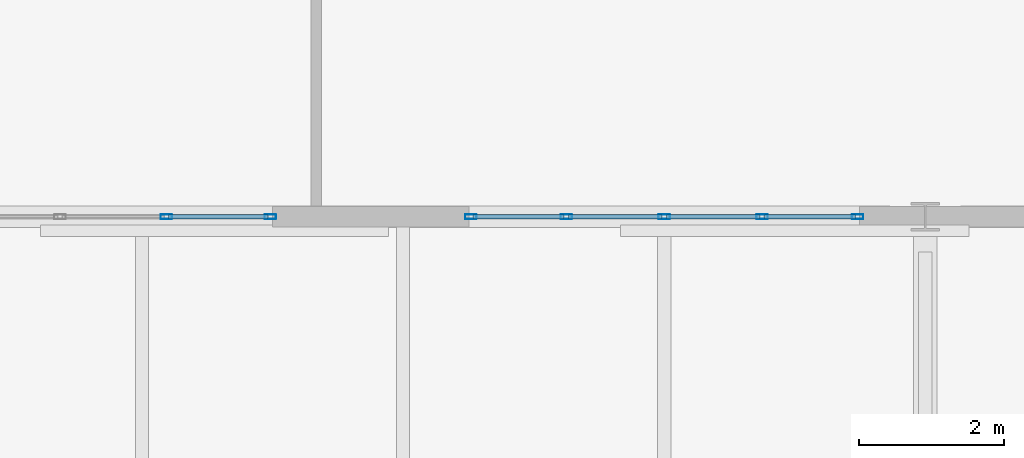
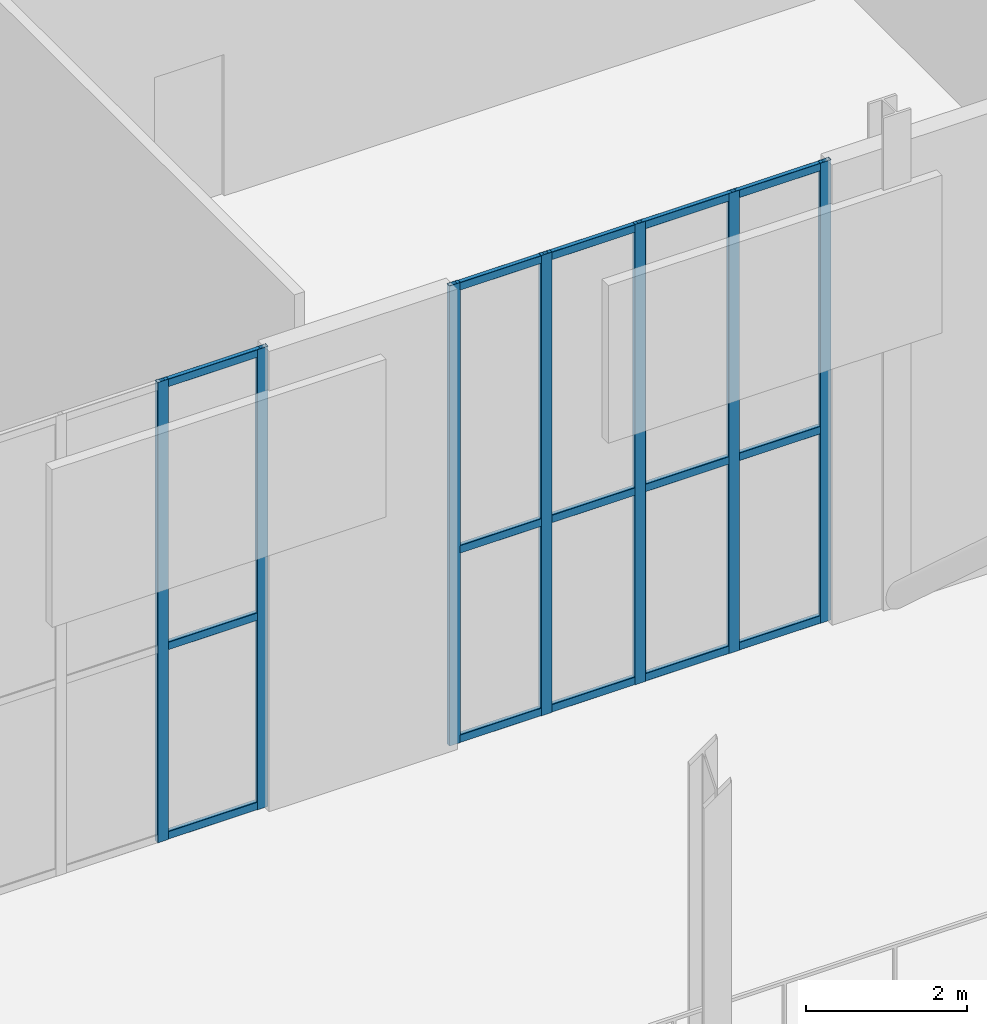
# One storey, part 11 of 23: 22 members, 2 elements without a shape of their own.
"""IFC4 building model written with IfcOpenShell, lengths in metres."""

import ifcopenshell
import ifcopenshell.guid

model = None  # the IFC model being written
_history = None  # IfcOwnerHistory: only IFC2X3 demands one
_inside = {}  # id of a spatial element -> (the spatial element, [elements in it])
_under = {}  # id of a project, library or spatial element -> (it, [spatial elements below it])
_declared = {}  # id of a project -> (the project, [libraries it declares])
_typed = {}  # id of a type object -> (the type object, [elements of that type])
_made_of = {}  # id of a material, layer set ... -> (it, [elements and type objects made of it])


def new_model(schema):
    """Start an empty IFC model of exactly this schema.

    Asked for "IFC4X3", IfcOpenShell would pick the latest addendum, in which some entities
    have other attributes; the version numbers below select the first issue.
    IFC2X3 requires an IfcOwnerHistory on every rooted entity: one is made here for all.
    """
    global model, _history
    if schema == "IFC4X3":
        model = ifcopenshell.file(schema_version=(4, 3, 0, 0))
    else:
        model = ifcopenshell.file(schema=schema)
    _inside.clear()
    _under.clear()
    _declared.clear()
    _typed.clear()
    _made_of.clear()
    _history = None
    if model.schema == "IFC2X3":
        org = make("IfcOrganization", Name="unknown")
        user = make(
            "IfcPersonAndOrganization",
            ThePerson=make("IfcPerson", FamilyName="unknown"),
            TheOrganization=org,
        )
        app = make(
            "IfcApplication",
            ApplicationDeveloper=org,
            Version="unknown",
            ApplicationFullName="unknown",
            ApplicationIdentifier="unknown",
        )
        _history = make(
            "IfcOwnerHistory",
            OwningUser=user,
            OwningApplication=app,
            ChangeAction="ADDED",
            CreationDate=0,
        )
    return model


def make(cls, **values):
    """One entity of the class cls with the attributes given. An attribute that is None is left unset."""
    return model.create_entity(
        cls, **{name: value for name, value in values.items() if value is not None}
    )


def rooted(cls, **values):
    """An entity with a GlobalId (a new one), such as an element, a storey or a relation."""
    return make(cls, GlobalId=ifcopenshell.guid.new(), OwnerHistory=_history, **values)


def si_unit(unit_type, name, prefix=None):
    """IfcSIUnit, for example si_unit("LENGTHUNIT", "METRE", prefix="MILLI")."""
    return make("IfcSIUnit", UnitType=unit_type, Prefix=prefix, Name=name)


def assignment(units):
    """IfcUnitAssignment: the units of a project."""
    return None if units is None else make("IfcUnitAssignment", Units=units)


def point(xyz):
    """IfcCartesianPoint."""
    return None if xyz is None else make("IfcCartesianPoint", Coordinates=xyz)


def direction(xyz):
    """IfcDirection."""
    return None if xyz is None else make("IfcDirection", DirectionRatios=xyz)


def frame(location, z_axis=None, x_axis=None):
    """IfcAxis2Placement3D, a coordinate frame: its origin and axes. An axis left out is left unset."""
    return make(
        "IfcAxis2Placement3D",
        Location=point(location),
        Axis=direction(z_axis),
        RefDirection=direction(x_axis),
    )


def frame_2d(location, x_axis=None):
    """IfcAxis2Placement2D, a coordinate frame in the plane: its origin and x axis."""
    return make(
        "IfcAxis2Placement2D", Location=point(location), RefDirection=direction(x_axis)
    )


def origin():
    """The frame at (0, 0, 0) with its axes left unset."""
    return frame((0.0, 0.0, 0.0))


def origin_2d():
    """The frame at (0, 0) in the plane with its x axis left unset."""
    return frame_2d((0.0, 0.0))


def place(relative_to, where):
    """IfcLocalPlacement: puts the frame where relative to a parent placement (None: the world)."""
    return make(
        "IfcLocalPlacement", PlacementRelTo=relative_to, RelativePlacement=where
    )


def context(
    kind, dimensions, precision=None, world=None, true_north=None, identifier=None
):
    """IfcGeometricRepresentationContext, for example the 3D "Model" context."""
    return make(
        "IfcGeometricRepresentationContext",
        ContextIdentifier=identifier,
        ContextType=kind,
        CoordinateSpaceDimension=dimensions,
        Precision=precision,
        WorldCoordinateSystem=world,
        TrueNorth=true_north,
    )


def subcontext(parent, identifier, kind, view, scale=None):
    """IfcGeometricRepresentationSubContext, for example "Body" below "Model"."""
    return make(
        "IfcGeometricRepresentationSubContext",
        ContextIdentifier=identifier,
        ContextType=kind,
        ParentContext=parent,
        TargetScale=scale,
        TargetView=view,
    )


def project(units=None, contexts=None):
    """IfcProject with its units and contexts."""
    return rooted(
        "IfcProject",
        Name="project",
        RepresentationContexts=contexts,
        UnitsInContext=assignment(units),
    )


def spatial(cls, under=None, at=None, **own):
    """A site, building, storey or space (cls), placed at a placement, below another one or the project."""
    s = rooted(cls, ObjectPlacement=at, **own)
    if under is not None:
        _under.setdefault(under.id(), (under, []))[1].append(s)
    return s


def profile(cls, at=None, kind="AREA", **sizes):
    """A parametric profile (cls). Its sizes go by their IFC names, for example OverallWidth=200.0."""
    return make(cls, ProfileType=kind, Position=at, **sizes)


def hollow_rectangle(**sizes):
    """IfcRectangleHollowProfileDef."""
    return profile("IfcRectangleHollowProfileDef", **sizes)


def extrude(swept, where, along, depth):
    """IfcExtrudedAreaSolid: the profile swept, set in the frame where, extruded along a direction by depth."""
    return make(
        "IfcExtrudedAreaSolid",
        SweptArea=swept,
        Position=where,
        ExtrudedDirection=direction(along),
        Depth=depth,
    )


def shape(context_of_items, identifier, shape_type, items):
    """IfcShapeRepresentation: the items that make up one representation, for example the "Body"."""
    return make(
        "IfcShapeRepresentation",
        ContextOfItems=context_of_items,
        RepresentationIdentifier=identifier,
        RepresentationType=shape_type,
        Items=items,
    )


def material(Name=None, Category=None):
    """IfcMaterial."""
    return make("IfcMaterial", Name=Name, Category=Category)


def layer(
    of_material, thickness, ventilated=None, Name=None, Category=None, Priority=None
):
    """IfcMaterialLayer: one layer of a wall or slab, of a material (None: an air gap)."""
    return make(
        "IfcMaterialLayer",
        Material=of_material,
        LayerThickness=thickness,
        IsVentilated=ventilated,
        Name=Name,
        Category=Category,
        Priority=Priority,
    )


def layer_set(layers, Name=None):
    """IfcMaterialLayerSet."""
    return make("IfcMaterialLayerSet", MaterialLayers=layers, LayerSetName=Name)


def material_profile(
    of_material, cross_section, Name=None, Category=None, Priority=None
):
    """IfcMaterialProfile: a cross section and its material."""
    return make(
        "IfcMaterialProfile",
        Name=Name,
        Material=of_material,
        Profile=cross_section,
        Priority=Priority,
        Category=Category,
    )


def profile_set(profiles, Name=None, composite=None):
    """IfcMaterialProfileSet."""
    return make(
        "IfcMaterialProfileSet",
        Name=Name,
        MaterialProfiles=profiles,
        CompositeProfile=composite,
    )


def made_of(thing, what):
    """Note that an element or type object is made of a material, layer set ...; save() writes the relation."""
    if what is not None:
        _made_of.setdefault(what.id(), (what, []))[1].append(thing)
    return thing


def type_object(cls, material=None, **own):
    """A type object (cls), such as IfcWallType, which elements share."""
    return made_of(rooted(cls, **own), material)


def element(
    cls,
    number,
    at=None,
    inside=None,
    cuts=None,
    type_object=None,
    material=None,
    context=None,
    identifier="Body",
    shape_type=None,
    held_by="IfcProductDefinitionShape",
    body=None,
    shapes=None,
    **own,
):
    """One element of the class cls, such as IfcWall. Its Tag is "e" and its number.

    at: its placement. inside: the storey or other place that contains it. cuts: it is an
    opening in that element (IfcRelVoidsElement). A single representation is given by context,
    identifier, shape_type and body (its items); several are given by shapes. held_by: the class
    of the entity that holds the representations. save() writes the other relations.
    """
    e = rooted(cls, Tag="e%d" % number, ObjectPlacement=at, **own)
    if body is not None:
        shapes = [shape(context, identifier, shape_type, body)]
    if shapes is not None:
        e.Representation = make(held_by, Representations=shapes)
    if inside is not None:
        _inside.setdefault(inside.id(), (inside, []))[1].append(e)
    if cuts is not None:
        rooted(
            "IfcRelVoidsElement", RelatingBuildingElement=cuts, RelatedOpeningElement=e
        )
    if type_object is not None:
        _typed.setdefault(type_object.id(), (type_object, []))[1].append(e)
    return made_of(e, material)


def aggregate(whole, parts):
    """IfcRelAggregates: a whole, such as a stair, and the parts it consists of."""
    return rooted("IfcRelAggregates", RelatingObject=whole, RelatedObjects=parts)


def save(model, path):
    """Write the relations noted so far, then the file.

    IfcRelAggregates (storeys below a building ...), IfcRelContainedInSpatialStructure (elements
    in a storey), IfcRelDefinesByType, IfcRelAssociatesMaterial and IfcRelDeclares: one each for
    every whole, place, type object, material and project.
    """
    for whole, parts in _under.values():
        aggregate(whole, parts)
    for where, things in _inside.values():
        rooted(
            "IfcRelContainedInSpatialStructure",
            RelatedElements=things,
            RelatingStructure=where,
        )
    for kind, things in _typed.values():
        rooted("IfcRelDefinesByType", RelatedObjects=things, RelatingType=kind)
    for what, things in _made_of.values():
        rooted("IfcRelAssociatesMaterial", RelatedObjects=things, RelatingMaterial=what)
    for by, libraries in _declared.values():
        rooted("IfcRelDeclares", RelatingContext=by, RelatedDefinitions=libraries)
    model.write(path)


model = new_model("IFC4")

# Units and contexts
model_context = context("Model", 3, precision=1e-05, world=origin(), true_north=direction((0.0, 1.0)))
body_context = subcontext(model_context, "Body", "Model", "MODEL_VIEW")
ifc_project = project(units=[si_unit("LENGTHUNIT", "METRE"), si_unit("AREAUNIT", "SQUARE_METRE"), si_unit("VOLUMEUNIT", "CUBIC_METRE"), si_unit("PLANEANGLEUNIT", "RADIAN"), si_unit("MASSUNIT", "GRAM", prefix="KILO")], contexts=[model_context])

# Site, building, storey
site_placement = place(None, origin())
site = spatial("IfcSite", under=ifc_project, at=site_placement, CompositionType="ELEMENT")
building_placement = place(site_placement, origin())
building = spatial("IfcBuilding", under=site, at=building_placement, Name="Kaelvorn Grand Hotel", CompositionType="ELEMENT")
storey_placement = place(building_placement, frame((0.0, 0.0, 310.699951171875)))
storey = spatial("IfcBuildingStorey", under=building, at=storey_placement, Name="L75", CompositionType="ELEMENT", Elevation=310.699951171875)

# Curtain wall, members
ifc_material = material(Name="Anodised Aluminium", Category="aluminium")
ifc_layer = layer(ifc_material, 0.159912109375)
ifc_layer_set = layer_set([ifc_layer], Name="Anodised Aluminium")
curtain_wall_type = type_object("IfcCurtainWallType", Name="CW-SYS6", PredefinedType="NOTDEFINED", material=ifc_layer_set)
curtain_wall_1_placement = place(storey_placement, origin())
curtain_wall_1 = element("IfcCurtainWall", 1, at=curtain_wall_1_placement, inside=storey, type_object=curtain_wall_type, Name="L75 Unitised Curtain Wall CW6 (CW-L75-S1)", PredefinedType="NOTDEFINED")
ifc_material_profile_1 = material_profile(ifc_material, hollow_rectangle(XDim=0.06494140625, YDim=0.159912109375, WallThickness=0.00341796875, InnerFilletRadius=0.00341796875, OuterFilletRadius=0.007080078125, at=origin_2d()), Name="ALU MULL 65x160")
ifc_profile_set_1 = profile_set([ifc_material_profile_1], Name="Anodised Aluminium")
member_type_1 = type_object("IfcMemberType", Name="CW-SYS6-MULL", PredefinedType="MULLION", material=ifc_profile_set_1)
member_1_placement = place(storey_placement, frame((27.333251953125, 15.0, 0.0), z_axis=(0.0, 0.0, 1.0), x_axis=(0.0, 1.0, 0.0)))
member_1 = element("IfcMember", 2, at=member_1_placement, type_object=member_type_1, Name="CW6 mullion 3", PredefinedType="MULLION", context=body_context, shape_type="SweptSolid", body=[
    extrude(hollow_rectangle(XDim=0.06494140625, YDim=0.159912109375, WallThickness=0.00341796875, InnerFilletRadius=0.00341796875, OuterFilletRadius=0.007080078125, at=origin_2d()), origin(), (0.0, 0.0, 1.0), 7.0),
])
member_2_placement = place(storey_placement, frame((28.767578125, 15.0, 0.0), z_axis=(0.0, 0.0, 1.0), x_axis=(0.0, 1.0, 0.0)))
member_2 = element("IfcMember", 3, at=member_2_placement, type_object=member_type_1, Name="CW6 mullion 4", PredefinedType="MULLION", context=body_context, shape_type="SweptSolid", body=[
    extrude(hollow_rectangle(XDim=0.06494140625, YDim=0.159912109375, WallThickness=0.00341796875, InnerFilletRadius=0.00341796875, OuterFilletRadius=0.007080078125, at=origin_2d()), origin(), (0.0, 0.0, 1.0), 7.0),
])

curtain_wall_2_placement = place(storey_placement, origin())
curtain_wall_2 = element("IfcCurtainWall", 4, at=curtain_wall_2_placement, inside=storey, type_object=curtain_wall_type, Name="L75 Unitised Curtain Wall CW6 (CW-L75-S2)", PredefinedType="NOTDEFINED")
member_3_placement = place(storey_placement, frame((31.532470703125, 15.0, 0.0), z_axis=(0.0, 0.0, 1.0), x_axis=(0.0, 1.0, 0.0)))
member_3 = element("IfcMember", 5, at=member_3_placement, type_object=member_type_1, Name="CW6 mullion 1", PredefinedType="MULLION", context=body_context, shape_type="SweptSolid", body=[
    extrude(hollow_rectangle(XDim=0.06494140625, YDim=0.159912109375, WallThickness=0.00341796875, InnerFilletRadius=0.00341796875, OuterFilletRadius=0.007080078125, at=origin_2d()), origin(), (0.0, 0.0, 1.0), 7.0),
])
member_4_placement = place(storey_placement, frame((32.85009765625, 15.0, 0.0), z_axis=(0.0, 0.0, 1.0), x_axis=(0.0, 1.0, 0.0)))
member_4 = element("IfcMember", 6, at=member_4_placement, type_object=member_type_1, Name="CW6 mullion 2", PredefinedType="MULLION", context=body_context, shape_type="SweptSolid", body=[
    extrude(hollow_rectangle(XDim=0.06494140625, YDim=0.159912109375, WallThickness=0.00341796875, InnerFilletRadius=0.00341796875, OuterFilletRadius=0.007080078125, at=origin_2d()), origin(), (0.0, 0.0, 1.0), 7.0),
])
member_5_placement = place(storey_placement, frame((34.199951171875, 15.0, 0.0), z_axis=(0.0, 0.0, 1.0), x_axis=(0.0, 1.0, 0.0)))
member_5 = element("IfcMember", 7, at=member_5_placement, type_object=member_type_1, Name="CW6 mullion 3", PredefinedType="MULLION", context=body_context, shape_type="SweptSolid", body=[
    extrude(hollow_rectangle(XDim=0.06494140625, YDim=0.159912109375, WallThickness=0.00341796875, InnerFilletRadius=0.00341796875, OuterFilletRadius=0.007080078125, at=origin_2d()), origin(), (0.0, 0.0, 1.0), 7.0),
])
member_6_placement = place(storey_placement, frame((35.550048828125, 15.0, 0.0), z_axis=(0.0, 0.0, 1.0), x_axis=(0.0, 1.0, 0.0)))
member_6 = element("IfcMember", 8, at=member_6_placement, type_object=member_type_1, Name="CW6 mullion 4", PredefinedType="MULLION", context=body_context, shape_type="SweptSolid", body=[
    extrude(hollow_rectangle(XDim=0.06494140625, YDim=0.159912109375, WallThickness=0.00341796875, InnerFilletRadius=0.00341796875, OuterFilletRadius=0.007080078125, at=origin_2d()), origin(), (0.0, 0.0, 1.0), 7.0),
])
member_7_placement = place(storey_placement, frame((36.867431640625, 15.0, 0.0), z_axis=(0.0, 0.0, 1.0), x_axis=(0.0, 1.0, 0.0)))
member_7 = element("IfcMember", 9, at=member_7_placement, type_object=member_type_1, Name="CW6 mullion 5", PredefinedType="MULLION", context=body_context, shape_type="SweptSolid", body=[
    extrude(hollow_rectangle(XDim=0.06494140625, YDim=0.159912109375, WallThickness=0.00341796875, InnerFilletRadius=0.00341796875, OuterFilletRadius=0.007080078125, at=origin_2d()), origin(), (0.0, 0.0, 1.0), 7.0),
])

# Member
ifc_material_profile_2 = material_profile(ifc_material, hollow_rectangle(XDim=0.06494140625, YDim=0.1201171875, WallThickness=0.00341796875, InnerFilletRadius=0.00341796875, OuterFilletRadius=0.007080078125, at=origin_2d()), Name="ALU TRAN 65x120")
ifc_profile_set_2 = profile_set([ifc_material_profile_2], Name="Anodised Aluminium")
member_type_2 = type_object("IfcMemberType", Name="CW-SYS6-TRAN", PredefinedType="NOTDEFINED", material=ifc_profile_set_2)
member_8_placement = place(storey_placement, frame((27.36572265625, 15.0, 0.06005859375), z_axis=(1.0, 0.0, 0.0), x_axis=(0.0, 1.0, 0.0)))
member_8 = element("IfcMember", 10, at=member_8_placement, type_object=member_type_2, Name="CW6 transom 3.1", ObjectType="TRANSOM", PredefinedType="USERDEFINED", context=body_context, shape_type="SweptSolid", body=[
    extrude(hollow_rectangle(XDim=0.06494140625, YDim=0.1201171875, WallThickness=0.00341796875, InnerFilletRadius=0.00341796875, OuterFilletRadius=0.007080078125, at=origin_2d()), origin(), (0.0, 0.0, 1.0), 1.369384765625),
])

member_9_placement = place(storey_placement, frame((27.36572265625, 15.0, 2.93994140625), z_axis=(1.0, 0.0, 0.0), x_axis=(0.0, 1.0, 0.0)))
member_9 = element("IfcMember", 11, at=member_9_placement, type_object=member_type_2, Name="CW6 transom 3.2", ObjectType="TRANSOM", PredefinedType="USERDEFINED", context=body_context, shape_type="SweptSolid", body=[
    extrude(hollow_rectangle(XDim=0.06494140625, YDim=0.1201171875, WallThickness=0.00341796875, InnerFilletRadius=0.00341796875, OuterFilletRadius=0.007080078125, at=origin_2d()), origin(), (0.0, 0.0, 1.0), 1.369384765625),
])

member_10_placement = place(storey_placement, frame((27.36572265625, 15.0, 6.93994140625), z_axis=(1.0, 0.0, 0.0), x_axis=(0.0, 1.0, 0.0)))
member_10 = element("IfcMember", 12, at=member_10_placement, type_object=member_type_2, Name="CW6 transom 3.3", ObjectType="TRANSOM", PredefinedType="USERDEFINED", context=body_context, shape_type="SweptSolid", body=[
    extrude(hollow_rectangle(XDim=0.06494140625, YDim=0.1201171875, WallThickness=0.00341796875, InnerFilletRadius=0.00341796875, OuterFilletRadius=0.007080078125, at=origin_2d()), origin(), (0.0, 0.0, 1.0), 1.369384765625),
])

aggregate(curtain_wall_1, [member_1, member_2, member_8, member_9, member_10])

member_11_placement = place(storey_placement, frame((31.56494140625, 15.0, 0.06005859375), z_axis=(1.0, 0.0, 0.0), x_axis=(0.0, 1.0, 0.0)))
member_11 = element("IfcMember", 13, at=member_11_placement, type_object=member_type_2, Name="CW6 transom 1.1", ObjectType="TRANSOM", PredefinedType="USERDEFINED", context=body_context, shape_type="SweptSolid", body=[
    extrude(hollow_rectangle(XDim=0.06494140625, YDim=0.1201171875, WallThickness=0.00341796875, InnerFilletRadius=0.00341796875, OuterFilletRadius=0.007080078125, at=origin_2d()), origin(), (0.0, 0.0, 1.0), 1.25244140625),
])

member_12_placement = place(storey_placement, frame((31.56494140625, 15.0, 2.93994140625), z_axis=(1.0, 0.0, 0.0), x_axis=(0.0, 1.0, 0.0)))
member_12 = element("IfcMember", 14, at=member_12_placement, type_object=member_type_2, Name="CW6 transom 1.2", ObjectType="TRANSOM", PredefinedType="USERDEFINED", context=body_context, shape_type="SweptSolid", body=[
    extrude(hollow_rectangle(XDim=0.06494140625, YDim=0.1201171875, WallThickness=0.00341796875, InnerFilletRadius=0.00341796875, OuterFilletRadius=0.007080078125, at=origin_2d()), origin(), (0.0, 0.0, 1.0), 1.25244140625),
])

member_13_placement = place(storey_placement, frame((31.56494140625, 15.0, 6.93994140625), z_axis=(1.0, 0.0, 0.0), x_axis=(0.0, 1.0, 0.0)))
member_13 = element("IfcMember", 15, at=member_13_placement, type_object=member_type_2, Name="CW6 transom 1.3", ObjectType="TRANSOM", PredefinedType="USERDEFINED", context=body_context, shape_type="SweptSolid", body=[
    extrude(hollow_rectangle(XDim=0.06494140625, YDim=0.1201171875, WallThickness=0.00341796875, InnerFilletRadius=0.00341796875, OuterFilletRadius=0.007080078125, at=origin_2d()), origin(), (0.0, 0.0, 1.0), 1.25244140625),
])

member_14_placement = place(storey_placement, frame((32.882568359375, 15.0, 0.06005859375), z_axis=(1.0, 0.0, 0.0), x_axis=(0.0, 1.0, 0.0)))
member_14 = element("IfcMember", 16, at=member_14_placement, type_object=member_type_2, Name="CW6 transom 2.1", ObjectType="TRANSOM", PredefinedType="USERDEFINED", context=body_context, shape_type="SweptSolid", body=[
    extrude(hollow_rectangle(XDim=0.06494140625, YDim=0.1201171875, WallThickness=0.00341796875, InnerFilletRadius=0.00341796875, OuterFilletRadius=0.007080078125, at=origin_2d()), origin(), (0.0, 0.0, 1.0), 1.284912109375),
])

member_15_placement = place(storey_placement, frame((32.882568359375, 15.0, 2.93994140625), z_axis=(1.0, 0.0, 0.0), x_axis=(0.0, 1.0, 0.0)))
member_15 = element("IfcMember", 17, at=member_15_placement, type_object=member_type_2, Name="CW6 transom 2.2", ObjectType="TRANSOM", PredefinedType="USERDEFINED", context=body_context, shape_type="SweptSolid", body=[
    extrude(hollow_rectangle(XDim=0.06494140625, YDim=0.1201171875, WallThickness=0.00341796875, InnerFilletRadius=0.00341796875, OuterFilletRadius=0.007080078125, at=origin_2d()), origin(), (0.0, 0.0, 1.0), 1.284912109375),
])

member_16_placement = place(storey_placement, frame((32.882568359375, 15.0, 6.93994140625), z_axis=(1.0, 0.0, 0.0), x_axis=(0.0, 1.0, 0.0)))
member_16 = element("IfcMember", 18, at=member_16_placement, type_object=member_type_2, Name="CW6 transom 2.3", ObjectType="TRANSOM", PredefinedType="USERDEFINED", context=body_context, shape_type="SweptSolid", body=[
    extrude(hollow_rectangle(XDim=0.06494140625, YDim=0.1201171875, WallThickness=0.00341796875, InnerFilletRadius=0.00341796875, OuterFilletRadius=0.007080078125, at=origin_2d()), origin(), (0.0, 0.0, 1.0), 1.284912109375),
])

member_17_placement = place(storey_placement, frame((34.232421875, 15.0, 0.06005859375), z_axis=(1.0, 0.0, 0.0), x_axis=(0.0, 1.0, 0.0)))
member_17 = element("IfcMember", 19, at=member_17_placement, type_object=member_type_2, Name="CW6 transom 3.1", ObjectType="TRANSOM", PredefinedType="USERDEFINED", context=body_context, shape_type="SweptSolid", body=[
    extrude(hollow_rectangle(XDim=0.06494140625, YDim=0.1201171875, WallThickness=0.00341796875, InnerFilletRadius=0.00341796875, OuterFilletRadius=0.007080078125, at=origin_2d()), origin(), (0.0, 0.0, 1.0), 1.28515625),
])

member_18_placement = place(storey_placement, frame((34.232421875, 15.0, 2.93994140625), z_axis=(1.0, 0.0, 0.0), x_axis=(0.0, 1.0, 0.0)))
member_18 = element("IfcMember", 20, at=member_18_placement, type_object=member_type_2, Name="CW6 transom 3.2", ObjectType="TRANSOM", PredefinedType="USERDEFINED", context=body_context, shape_type="SweptSolid", body=[
    extrude(hollow_rectangle(XDim=0.06494140625, YDim=0.1201171875, WallThickness=0.00341796875, InnerFilletRadius=0.00341796875, OuterFilletRadius=0.007080078125, at=origin_2d()), origin(), (0.0, 0.0, 1.0), 1.28515625),
])

member_19_placement = place(storey_placement, frame((34.232421875, 15.0, 6.93994140625), z_axis=(1.0, 0.0, 0.0), x_axis=(0.0, 1.0, 0.0)))
member_19 = element("IfcMember", 21, at=member_19_placement, type_object=member_type_2, Name="CW6 transom 3.3", ObjectType="TRANSOM", PredefinedType="USERDEFINED", context=body_context, shape_type="SweptSolid", body=[
    extrude(hollow_rectangle(XDim=0.06494140625, YDim=0.1201171875, WallThickness=0.00341796875, InnerFilletRadius=0.00341796875, OuterFilletRadius=0.007080078125, at=origin_2d()), origin(), (0.0, 0.0, 1.0), 1.28515625),
])

member_20_placement = place(storey_placement, frame((35.58251953125, 15.0, 0.06005859375), z_axis=(1.0, 0.0, 0.0), x_axis=(0.0, 1.0, 0.0)))
member_20 = element("IfcMember", 22, at=member_20_placement, type_object=member_type_2, Name="CW6 transom 4.1", ObjectType="TRANSOM", PredefinedType="USERDEFINED", context=body_context, shape_type="SweptSolid", body=[
    extrude(hollow_rectangle(XDim=0.06494140625, YDim=0.1201171875, WallThickness=0.00341796875, InnerFilletRadius=0.00341796875, OuterFilletRadius=0.007080078125, at=origin_2d()), origin(), (0.0, 0.0, 1.0), 1.25244140625),
])

member_21_placement = place(storey_placement, frame((35.58251953125, 15.0, 2.93994140625), z_axis=(1.0, 0.0, 0.0), x_axis=(0.0, 1.0, 0.0)))
member_21 = element("IfcMember", 23, at=member_21_placement, type_object=member_type_2, Name="CW6 transom 4.2", ObjectType="TRANSOM", PredefinedType="USERDEFINED", context=body_context, shape_type="SweptSolid", body=[
    extrude(hollow_rectangle(XDim=0.06494140625, YDim=0.1201171875, WallThickness=0.00341796875, InnerFilletRadius=0.00341796875, OuterFilletRadius=0.007080078125, at=origin_2d()), origin(), (0.0, 0.0, 1.0), 1.25244140625),
])

member_22_placement = place(storey_placement, frame((35.58251953125, 15.0, 6.93994140625), z_axis=(1.0, 0.0, 0.0), x_axis=(0.0, 1.0, 0.0)))
member_22 = element("IfcMember", 24, at=member_22_placement, type_object=member_type_2, Name="CW6 transom 4.3", ObjectType="TRANSOM", PredefinedType="USERDEFINED", context=body_context, shape_type="SweptSolid", body=[
    extrude(hollow_rectangle(XDim=0.06494140625, YDim=0.1201171875, WallThickness=0.00341796875, InnerFilletRadius=0.00341796875, OuterFilletRadius=0.007080078125, at=origin_2d()), origin(), (0.0, 0.0, 1.0), 1.25244140625),
])

aggregate(curtain_wall_2, [member_3, member_4, member_5, member_6, member_7, member_11, member_12, member_13, member_14, member_15, member_16, member_17, member_18, member_19, member_20, member_21, member_22])

save(model, "model.ifc")
